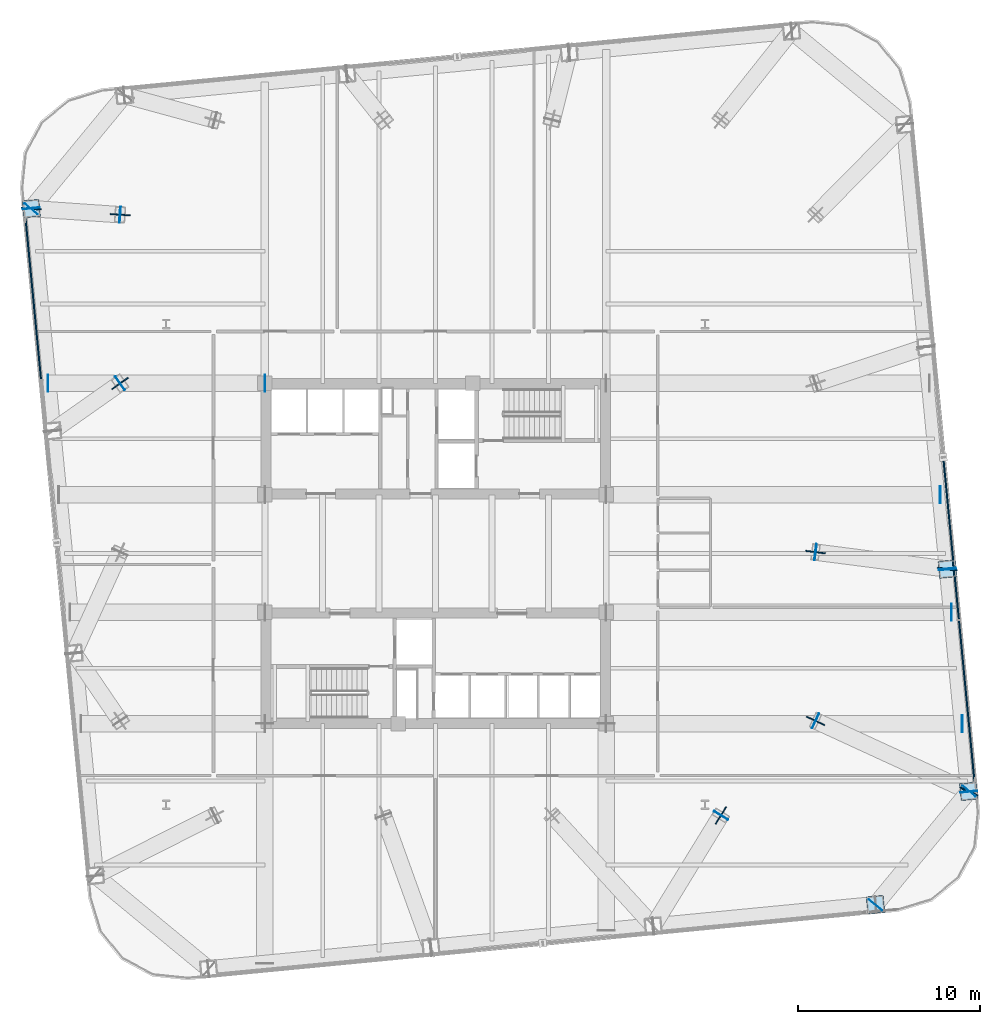
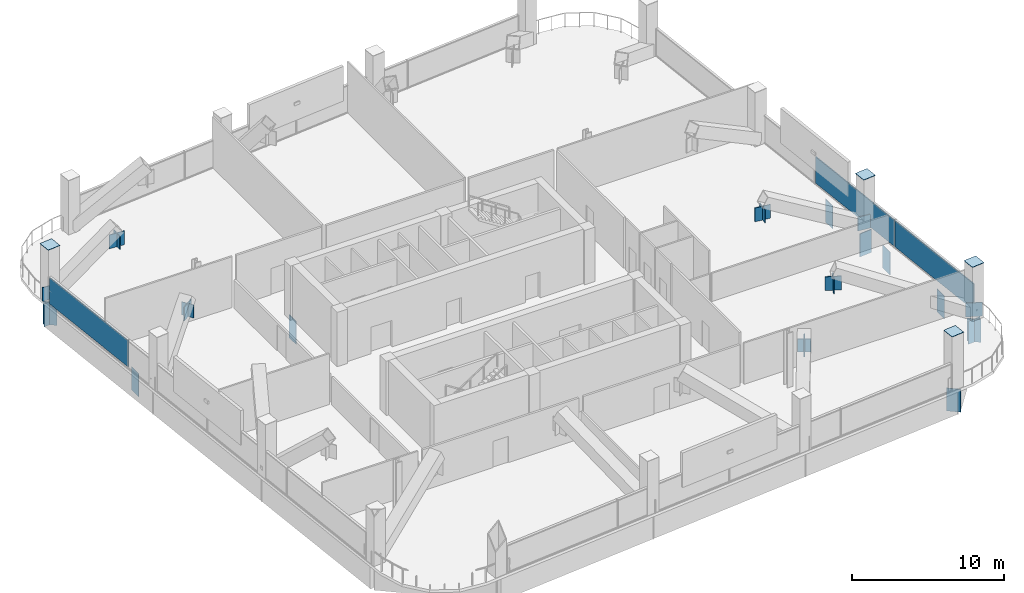
# One storey, part 23 of 30: 32 plates, 2 elements without a shape of their own.
"""IFC4 building model written with IfcOpenShell, lengths in metres."""

import ifcopenshell
import ifcopenshell.guid

model = None  # the IFC model being written
_history = None  # IfcOwnerHistory: only IFC2X3 demands one
_inside = {}  # id of a spatial element -> (the spatial element, [elements in it])
_under = {}  # id of a project, library or spatial element -> (it, [spatial elements below it])
_declared = {}  # id of a project -> (the project, [libraries it declares])
_typed = {}  # id of a type object -> (the type object, [elements of that type])
_made_of = {}  # id of a material, layer set ... -> (it, [elements and type objects made of it])


def new_model(schema):
    """Start an empty IFC model of exactly this schema.

    Asked for "IFC4X3", IfcOpenShell would pick the latest addendum, in which some entities
    have other attributes; the version numbers below select the first issue.
    IFC2X3 requires an IfcOwnerHistory on every rooted entity: one is made here for all.
    """
    global model, _history
    if schema == "IFC4X3":
        model = ifcopenshell.file(schema_version=(4, 3, 0, 0))
    else:
        model = ifcopenshell.file(schema=schema)
    _inside.clear()
    _under.clear()
    _declared.clear()
    _typed.clear()
    _made_of.clear()
    _history = None
    if model.schema == "IFC2X3":
        org = make("IfcOrganization", Name="unknown")
        user = make(
            "IfcPersonAndOrganization",
            ThePerson=make("IfcPerson", FamilyName="unknown"),
            TheOrganization=org,
        )
        app = make(
            "IfcApplication",
            ApplicationDeveloper=org,
            Version="unknown",
            ApplicationFullName="unknown",
            ApplicationIdentifier="unknown",
        )
        _history = make(
            "IfcOwnerHistory",
            OwningUser=user,
            OwningApplication=app,
            ChangeAction="ADDED",
            CreationDate=0,
        )
    return model


def make(cls, **values):
    """One entity of the class cls with the attributes given. An attribute that is None is left unset."""
    return model.create_entity(
        cls, **{name: value for name, value in values.items() if value is not None}
    )


def rooted(cls, **values):
    """An entity with a GlobalId (a new one), such as an element, a storey or a relation."""
    return make(cls, GlobalId=ifcopenshell.guid.new(), OwnerHistory=_history, **values)


def si_unit(unit_type, name, prefix=None):
    """IfcSIUnit, for example si_unit("LENGTHUNIT", "METRE", prefix="MILLI")."""
    return make("IfcSIUnit", UnitType=unit_type, Prefix=prefix, Name=name)


def assignment(units):
    """IfcUnitAssignment: the units of a project."""
    return None if units is None else make("IfcUnitAssignment", Units=units)


def point(xyz):
    """IfcCartesianPoint."""
    return None if xyz is None else make("IfcCartesianPoint", Coordinates=xyz)


def direction(xyz):
    """IfcDirection."""
    return None if xyz is None else make("IfcDirection", DirectionRatios=xyz)


def frame(location, z_axis=None, x_axis=None):
    """IfcAxis2Placement3D, a coordinate frame: its origin and axes. An axis left out is left unset."""
    return make(
        "IfcAxis2Placement3D",
        Location=point(location),
        Axis=direction(z_axis),
        RefDirection=direction(x_axis),
    )


def frame_2d(location, x_axis=None):
    """IfcAxis2Placement2D, a coordinate frame in the plane: its origin and x axis."""
    return make(
        "IfcAxis2Placement2D", Location=point(location), RefDirection=direction(x_axis)
    )


def origin():
    """The frame at (0, 0, 0) with its axes left unset."""
    return frame((0.0, 0.0, 0.0))


def origin_2d():
    """The frame at (0, 0) in the plane with its x axis left unset."""
    return frame_2d((0.0, 0.0))


def place(relative_to, where):
    """IfcLocalPlacement: puts the frame where relative to a parent placement (None: the world)."""
    return make(
        "IfcLocalPlacement", PlacementRelTo=relative_to, RelativePlacement=where
    )


def context(
    kind, dimensions, precision=None, world=None, true_north=None, identifier=None
):
    """IfcGeometricRepresentationContext, for example the 3D "Model" context."""
    return make(
        "IfcGeometricRepresentationContext",
        ContextIdentifier=identifier,
        ContextType=kind,
        CoordinateSpaceDimension=dimensions,
        Precision=precision,
        WorldCoordinateSystem=world,
        TrueNorth=true_north,
    )


def subcontext(parent, identifier, kind, view, scale=None):
    """IfcGeometricRepresentationSubContext, for example "Body" below "Model"."""
    return make(
        "IfcGeometricRepresentationSubContext",
        ContextIdentifier=identifier,
        ContextType=kind,
        ParentContext=parent,
        TargetScale=scale,
        TargetView=view,
    )


def project(units=None, contexts=None):
    """IfcProject with its units and contexts."""
    return rooted(
        "IfcProject",
        Name="project",
        RepresentationContexts=contexts,
        UnitsInContext=assignment(units),
    )


def spatial(cls, under=None, at=None, **own):
    """A site, building, storey or space (cls), placed at a placement, below another one or the project."""
    s = rooted(cls, ObjectPlacement=at, **own)
    if under is not None:
        _under.setdefault(under.id(), (under, []))[1].append(s)
    return s


def profile(cls, at=None, kind="AREA", **sizes):
    """A parametric profile (cls). Its sizes go by their IFC names, for example OverallWidth=200.0."""
    return make(cls, ProfileType=kind, Position=at, **sizes)


def rectangle(**sizes):
    """IfcRectangleProfileDef."""
    return profile("IfcRectangleProfileDef", **sizes)


def extrude(swept, where, along, depth):
    """IfcExtrudedAreaSolid: the profile swept, set in the frame where, extruded along a direction by depth."""
    return make(
        "IfcExtrudedAreaSolid",
        SweptArea=swept,
        Position=where,
        ExtrudedDirection=direction(along),
        Depth=depth,
    )


def shape(context_of_items, identifier, shape_type, items):
    """IfcShapeRepresentation: the items that make up one representation, for example the "Body"."""
    return make(
        "IfcShapeRepresentation",
        ContextOfItems=context_of_items,
        RepresentationIdentifier=identifier,
        RepresentationType=shape_type,
        Items=items,
    )


def material(Name=None, Category=None):
    """IfcMaterial."""
    return make("IfcMaterial", Name=Name, Category=Category)


def layer(
    of_material, thickness, ventilated=None, Name=None, Category=None, Priority=None
):
    """IfcMaterialLayer: one layer of a wall or slab, of a material (None: an air gap)."""
    return make(
        "IfcMaterialLayer",
        Material=of_material,
        LayerThickness=thickness,
        IsVentilated=ventilated,
        Name=Name,
        Category=Category,
        Priority=Priority,
    )


def layer_set(layers, Name=None):
    """IfcMaterialLayerSet."""
    return make("IfcMaterialLayerSet", MaterialLayers=layers, LayerSetName=Name)


def made_of(thing, what):
    """Note that an element or type object is made of a material, layer set ...; save() writes the relation."""
    if what is not None:
        _made_of.setdefault(what.id(), (what, []))[1].append(thing)
    return thing


def type_object(cls, material=None, **own):
    """A type object (cls), such as IfcWallType, which elements share."""
    return made_of(rooted(cls, **own), material)


def element(
    cls,
    number,
    at=None,
    inside=None,
    cuts=None,
    type_object=None,
    material=None,
    context=None,
    identifier="Body",
    shape_type=None,
    held_by="IfcProductDefinitionShape",
    body=None,
    shapes=None,
    **own,
):
    """One element of the class cls, such as IfcWall. Its Tag is "e" and its number.

    at: its placement. inside: the storey or other place that contains it. cuts: it is an
    opening in that element (IfcRelVoidsElement). A single representation is given by context,
    identifier, shape_type and body (its items); several are given by shapes. held_by: the class
    of the entity that holds the representations. save() writes the other relations.
    """
    e = rooted(cls, Tag="e%d" % number, ObjectPlacement=at, **own)
    if body is not None:
        shapes = [shape(context, identifier, shape_type, body)]
    if shapes is not None:
        e.Representation = make(held_by, Representations=shapes)
    if inside is not None:
        _inside.setdefault(inside.id(), (inside, []))[1].append(e)
    if cuts is not None:
        rooted(
            "IfcRelVoidsElement", RelatingBuildingElement=cuts, RelatedOpeningElement=e
        )
    if type_object is not None:
        _typed.setdefault(type_object.id(), (type_object, []))[1].append(e)
    return made_of(e, material)


def aggregate(whole, parts):
    """IfcRelAggregates: a whole, such as a stair, and the parts it consists of."""
    return rooted("IfcRelAggregates", RelatingObject=whole, RelatedObjects=parts)


def save(model, path):
    """Write the relations noted so far, then the file.

    IfcRelAggregates (storeys below a building ...), IfcRelContainedInSpatialStructure (elements
    in a storey), IfcRelDefinesByType, IfcRelAssociatesMaterial and IfcRelDeclares: one each for
    every whole, place, type object, material and project.
    """
    for whole, parts in _under.values():
        aggregate(whole, parts)
    for where, things in _inside.values():
        rooted(
            "IfcRelContainedInSpatialStructure",
            RelatedElements=things,
            RelatingStructure=where,
        )
    for kind, things in _typed.values():
        rooted("IfcRelDefinesByType", RelatedObjects=things, RelatingType=kind)
    for what, things in _made_of.values():
        rooted("IfcRelAssociatesMaterial", RelatedObjects=things, RelatingMaterial=what)
    for by, libraries in _declared.values():
        rooted("IfcRelDeclares", RelatingContext=by, RelatedDefinitions=libraries)
    model.write(path)


model = new_model("IFC4")

# Units and contexts
model_context = context("Model", 3, precision=1e-05, world=origin(), true_north=direction((0.0, 1.0)))
body_context = subcontext(model_context, "Body", "Model", "MODEL_VIEW")
ifc_project = project(units=[si_unit("LENGTHUNIT", "METRE"), si_unit("AREAUNIT", "SQUARE_METRE"), si_unit("VOLUMEUNIT", "CUBIC_METRE"), si_unit("PLANEANGLEUNIT", "RADIAN"), si_unit("MASSUNIT", "GRAM", prefix="KILO")], contexts=[model_context])

# Site, building, storey
site_placement = place(None, origin())
site = spatial("IfcSite", under=ifc_project, at=site_placement, CompositionType="ELEMENT")
building_placement = place(site_placement, origin())
building = spatial("IfcBuilding", under=site, at=building_placement, Name="Qhalaya Broadcast Tower", CompositionType="ELEMENT")
storey_placement = place(building_placement, frame((0.0, 0.0, 96.89990234375)))
storey = spatial("IfcBuildingStorey", under=building, at=storey_placement, Name="L28", CompositionType="ELEMENT", Elevation=96.89990234375)

# Plates
ifc_material_1 = material(Name="Structural Steel ASTM A572 Grade 50", Category="steel")
ifc_layer_1 = layer(ifc_material_1, 0.054931640625, Name="Structural Steel ASTM A572 Grade 50")
ifc_layer_set_1 = layer_set([ifc_layer_1], Name="Structural Steel ASTM A572 Grade 50")
plate_type_1 = type_object("IfcPlateType", Name="Exoskeleton Diamond Node Gusset Plate NP-01", PredefinedType="USERDEFINED", material=ifc_layer_set_1)
for number, where, z_axis, x_axis, name in (
    (1, (15.669921875, -13.7900390625, 2.7099609375), (0.0, 0.0, 1.0), (0.521947844814, 0.852977401397, 0.0), "L28 Strut Head Gusset Plate 04"),
    (2, (29.29248046875, -12.46533203125, 0.0), (0.0, 0.0, 1.0), (-0.908449823421, 0.417993921399, 0.0), "L28 Strut Foot Gusset Plate 05"),
    (3, (20.8701171875, -8.590087890625, 2.7099609375), (0.0, 0.0, 1.0), (-0.908449823421, 0.417993921399, 0.0), "L28 Strut Head Gusset Plate 05"),
    (4, (28.116943359375, -0.255126953125, 0.0), (0.0, 0.0, 1.0), (-0.991832228668, 0.127549324477, 0.0), "L28 Strut Foot Gusset Plate 06"),
    (5, (20.8701171875, 0.6767578125, 2.7099609375), (0.0, 0.0, 1.0), (-0.991832228668, 0.127549324477, 0.0), "L28 Strut Head Gusset Plate 06"),
    (6, (-22.212646484375, 19.54541015625, 0.0), (0.0, 0.0, 1.0), (0.997648529354, -0.068537667585, 0.0), "L28 Strut Foot Gusset Plate 13"),
    (7, (-17.330078125, 19.2099609375, 2.7099609375), (0.0, 0.0, 1.0), (0.997648529354, -0.068537667585, 0.0), "L28 Strut Head Gusset Plate 13"),
    (8, (-17.330078125, 9.943359375, 2.7099609375), (0.0, 0.0, 1.0), (0.817858576328, 0.575419281156, 0.0), "L28 Strut Head Gusset Plate 14"),
):
    element("IfcPlate", number, at=place(storey_placement, frame(where, z_axis=z_axis, x_axis=x_axis)), inside=storey, type_object=plate_type_1, Name=name, ObjectType="GUSSET_PLATE", PredefinedType="USERDEFINED", context=body_context, shape_type="SweptSolid", body=[
        extrude(rectangle(XDim=1.10009765625, YDim=0.06005859375, at=origin_2d()), origin(), (0.0, 0.0, 1.0), 1.10009765625),
    ])
ifc_layer_2 = layer(ifc_material_1, 0.4599609375, Name="Structural Steel ASTM A572 Grade 50")
ifc_layer_set_2 = layer_set([ifc_layer_2], Name="Structural Steel ASTM A572 Grade 50")
plate_type_2 = type_object("IfcPlateType", Name="Hollow Box Member End Cap Plate CP-01", PredefinedType="USERDEFINED", material=ifc_layer_set_2)
for number, where, z_axis, x_axis, name in (
    (9, (24.155029296875, -18.69775390625, -2.0400390625), (0.0, 0.0, 1.0), (-0.771624583388, 0.636078220278, 0.0), "L28 Hollow Girder End Cap L28-SPR-04-A"),
    (10, (29.302734375, -12.453125, -2.0400390625), (0.0, 0.0, 1.0), (-0.771624583388, 0.636078220278, 0.0), "L28 Hollow Girder End Cap L28-SPR-04-B"),
    (11, (29.294189453125, -12.481201171875, -2.0400390625), (0.0, 0.0, 1.0), (-0.995396198367, -0.09584575252, 0.0), "L28 Hollow Girder End Cap L28-SPR-05-A"),
    (12, (28.115478515625, -0.2392578125, -2.0400390625), (0.0, 0.0, 1.0), (-0.995396198367, -0.09584575252, 0.0), "L28 Hollow Girder End Cap L28-SPR-05-B"),
    (13, (28.118408203125, -0.27099609375, -2.0400390625), (0.0, 0.0, 1.0), (-0.995396198367, -0.09584575252, 0.0), "L28 Hollow Girder End Cap L28-SPR-06-A"),
    (14, (-22.222900390625, 19.533203125, -2.0400390625), (0.0, 0.0, 1.0), (0.771624583388, -0.636078220278, 0.0), "L28 Hollow Girder End Cap L28-SPR-12-B"),
    (15, (-22.214111328125, 19.561279296875, -2.0400390625), (0.0, 0.0, 1.0), (0.995396198367, 0.09584575252, 0.0), "L28 Hollow Girder End Cap L28-SPR-13-A"),
    (16, (28.930908203125, -8.75, -2.0400390625), (0.0, 0.0, 1.0), (0.0, 1.0, 0.0), "L28 Hollow Girder End Cap L28-PGYE1-1-B"),
    (17, (28.341064453125, -2.625, -2.0400390625), (0.0, 0.0, 1.0), (0.0, 1.0, 0.0), "L28 Hollow Girder End Cap L28-PGYE2-1-B"),
    (18, (27.719970703125, 3.824951171875, -2.0400390625), (0.0, 0.0, 1.0), (0.0, 1.0, 0.0), "L28 Hollow Girder End Cap L28-PGYE3-1-B"),
    (19, (-21.28466796875, 9.949951171875, -2.0400390625), (0.0, 0.0, 1.0), (0.0, 1.0, 0.0), "L28 Hollow Girder End Cap L28-PGYW4-1-A"),
    (20, (-9.35888671875, 9.949951171875, -2.0400390625), (0.0, 0.0, 1.0), (0.0, 1.0, 0.0), "L28 Hollow Girder End Cap L28-PGYW4-1-B"),
):
    element("IfcPlate", number, at=place(storey_placement, frame(where, z_axis=z_axis, x_axis=x_axis)), inside=storey, type_object=plate_type_2, Name=name, ObjectType="COVER_PLATE", PredefinedType="USERDEFINED", context=body_context, shape_type="SweptSolid", body=[
        extrude(rectangle(XDim=0.93994140625, YDim=0.031982421875, at=origin_2d()), origin(), (0.0, 0.0, 1.0), 1.840087890625),
    ])
for number, where, z_axis, x_axis, name in (
    (21, (24.165283203125, -18.685546875, 4.35009765625), (0.0, 0.0, 1.0), (0.995396198367, 0.09584575252, 0.0), "L28 Hollow Box Column Top Cap Plate COL-EX04"),
    (22, (29.29248046875, -12.46533203125, 4.35009765625), (0.0, 0.0, 1.0), (-0.09584575252, 0.995396198367, 0.0), "L28 Hollow Box Column Top Cap Plate COL-EX05"),
    (23, (28.116943359375, -0.255126953125, 4.35009765625), (0.0, 0.0, 1.0), (-0.09584575252, 0.995396198367, 0.0), "L28 Hollow Box Column Top Cap Plate COL-EX06"),
    (24, (-22.212646484375, 19.54541015625, 4.35009765625), (0.0, 0.0, 1.0), (-0.09584575252, 0.995396198367, 0.0), "L28 Hollow Box Column Top Cap Plate COL-EX13"),
):
    element("IfcPlate", number, at=place(storey_placement, frame(where, z_axis=z_axis, x_axis=x_axis)), inside=storey, type_object=plate_type_2, Name=name, ObjectType="COVER_PLATE", PredefinedType="USERDEFINED", context=body_context, shape_type="SweptSolid", body=[
        extrude(rectangle(XDim=0.93994140625, YDim=0.93994140625, at=origin_2d()), origin(), (0.0, 0.0, 1.0), 0.031982421875),
    ])

# Curtain wall, plates
ifc_material_2 = material(Name="Fired Architectural Terracotta", Category="masonry")
ifc_layer_3 = layer(ifc_material_2, 0.219970703125, Name="Fired Architectural Terracotta")
ifc_layer_set_3 = layer_set([ifc_layer_3], Name="Fired Architectural Terracotta")
curtain_wall_type = type_object("IfcCurtainWallType", Name="Block-Cap Unitised Terracotta Spandrel Wall CW-07", PredefinedType="NOTDEFINED", material=ifc_layer_set_3)
curtain_wall_1_placement = place(storey_placement, origin())
curtain_wall_1 = element("IfcCurtainWall", 25, at=curtain_wall_1_placement, inside=storey, type_object=curtain_wall_type, Name="L28 Unitised Curtain Wall L28-CW-E", PredefinedType="NOTDEFINED")
ifc_layer_4 = layer(ifc_material_2, 0.080078125, Name="Fired Architectural Terracotta")
ifc_layer_set_4 = layer_set([ifc_layer_4], Name="Fired Architectural Terracotta")
plate_type_3 = type_object("IfcPlateType", Name="Insulated Terracotta Spandrel Panel TSP-07", PredefinedType="CURTAIN_PANEL", material=ifc_layer_set_4)
plate_1_placement = place(storey_placement, frame((28.31787109375, 1.41455078125, 0.074951171875), z_axis=(0.0, 0.0, 1.0), x_axis=(0.095846812756, -0.995396096278, 0.0)))
plate_1 = element("IfcPlate", 26, at=plate_1_placement, type_object=plate_type_3, Name="CW-07 panel 3.1", PredefinedType="CURTAIN_PANEL", context=body_context, shape_type="SweptSolid", body=[
    extrude(rectangle(XDim=8.906005859375, YDim=0.080078125, at=origin_2d()), origin(), (0.0, 0.0, 1.0), 2.10009765625),
])
plate_2_placement = place(storey_placement, frame((29.1767578125, -7.50634765625, 0.074951171875), z_axis=(0.0, 0.0, 1.0), x_axis=(0.095846812756, -0.995396096278, 0.0)))
plate_2 = element("IfcPlate", 27, at=plate_2_placement, type_object=plate_type_3, Name="CW-07 panel 4.1", PredefinedType="CURTAIN_PANEL", context=body_context, shape_type="SweptSolid", body=[
    extrude(rectangle(XDim=8.868408203125, YDim=0.080078125, at=origin_2d()), origin(), (0.0, 0.0, 1.0), 2.10009765625),
])
aggregate(curtain_wall_1, [plate_1, plate_2])

# Curtain wall, plate
curtain_wall_2_placement = place(storey_placement, origin())
curtain_wall_2 = element("IfcCurtainWall", 28, at=curtain_wall_2_placement, inside=storey, type_object=curtain_wall_type, Name="L28 Unitised Curtain Wall L28-CW-W", PredefinedType="NOTDEFINED")
plate_3_placement = place(storey_placement, frame((-22.096923828125, 14.58642578125, 0.074951171875), z_axis=(0.0, 0.0, 1.0), x_axis=(-0.095846812756, 0.995396096278, 0.0)))
plate_3 = element("IfcPlate", 29, at=plate_3_placement, type_object=plate_type_3, Name="CW-07 panel 4.1", PredefinedType="CURTAIN_PANEL", context=body_context, shape_type="SweptSolid", body=[
    extrude(rectangle(XDim=8.868408203125, YDim=0.080078125, at=origin_2d()), origin(), (0.0, 0.0, 1.0), 2.10009765625),
])
aggregate(curtain_wall_2, [plate_3])

# Plates
ifc_layer_5 = layer(ifc_material_1, 0.044921875, Name="Structural Steel ASTM A572 Grade 50")
ifc_layer_set_5 = layer_set([ifc_layer_5], Name="Structural Steel ASTM A572 Grade 50")
plate_type_4 = type_object("IfcPlateType", Name="Transfer Girder Web Stiffener Plate WS-01", PredefinedType="USERDEFINED", material=ifc_layer_set_5)
for number, where, z_axis, x_axis, name in (
    (30, (15.669921875, -13.7900390625, 2.73486328125), (0.0, 0.0, 1.0), (-0.852977401397, 0.521947844814, 0.0), "L28 Strut Head Cross Diaphragm Plate 04"),
    (31, (20.8701171875, -8.590087890625, 2.73486328125), (0.0, 0.0, 1.0), (-0.417993921399, -0.908449823421, 0.0), "L28 Strut Head Cross Diaphragm Plate 05"),
    (32, (20.8701171875, 0.6767578125, 2.73486328125), (0.0, 0.0, 1.0), (-0.127549324477, -0.991832228668, 0.0), "L28 Strut Head Cross Diaphragm Plate 06"),
    (33, (-17.330078125, 19.2099609375, 2.73486328125), (0.0, 0.0, 1.0), (0.068537667585, 0.997648529354, 0.0), "L28 Strut Head Cross Diaphragm Plate 13"),
    (34, (-17.330078125, 9.943359375, 2.73486328125), (0.0, 0.0, 1.0), (-0.575419281156, 0.817858576328, 0.0), "L28 Strut Head Cross Diaphragm Plate 14"),
):
    element("IfcPlate", number, at=place(storey_placement, frame(where, z_axis=z_axis, x_axis=x_axis)), inside=storey, type_object=plate_type_4, Name=name, ObjectType="STIFFENER_PLATE", PredefinedType="USERDEFINED", context=body_context, shape_type="SweptSolid", body=[
        extrude(rectangle(XDim=0.89990234375, YDim=0.044921875, at=origin_2d()), origin(), (0.0, 0.0, 1.0), 1.050048828125),
    ])

save(model, "model.ifc")
